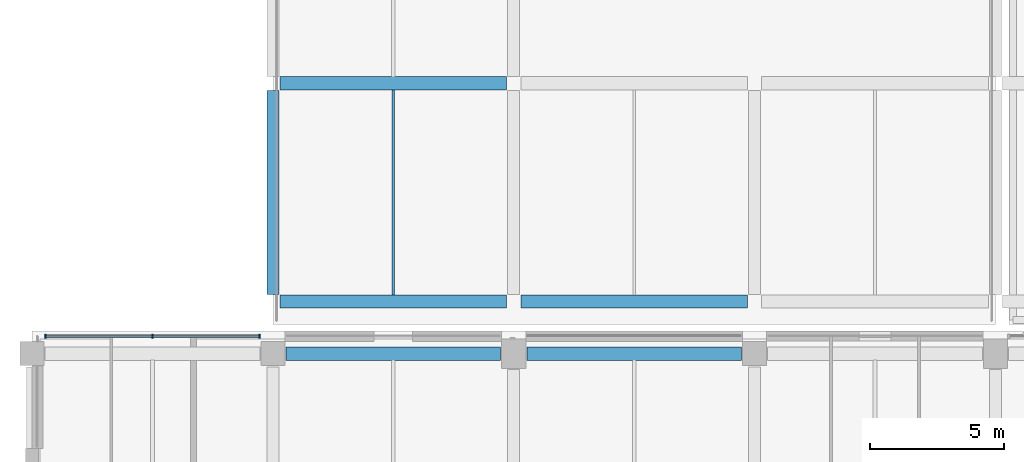
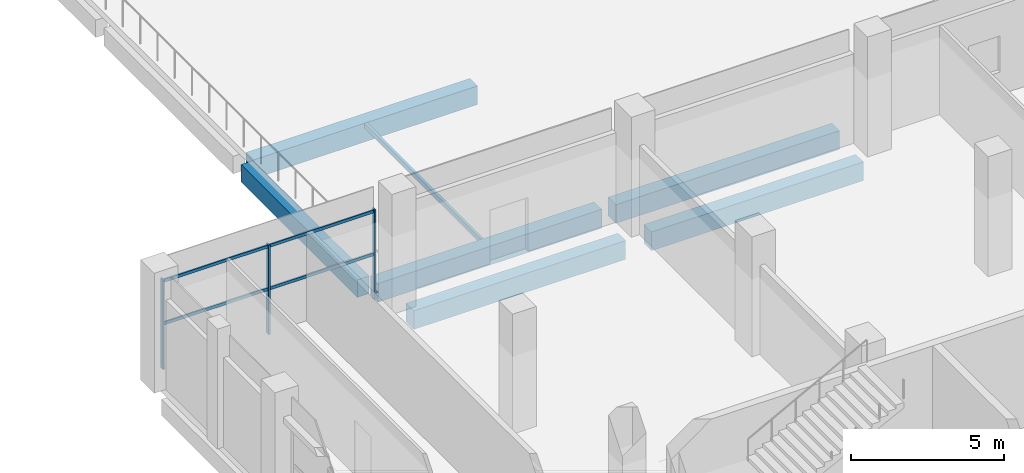
# One storey, part 20 of 82: 7 beams, 5 members, 1 element without a shape of its own.
"""IFC4 building model written with IfcOpenShell, lengths in metres."""

from ifc_helpers import new_model, si_unit, direction, frame, origin, origin_2d, place, context, subcontext, project, spatial, rectangle, hollow_rectangle, extrude, material, material_profile, profile_set, type_object, element, aggregate, save


model = new_model("IFC4")

# Units and contexts
model_context = context("Model", 3, precision=1e-05, world=origin(), true_north=direction((0.0, 1.0)))
body_context = subcontext(model_context, "Body", "Model", "MODEL_VIEW")
ifc_project = project(units=[si_unit("LENGTHUNIT", "METRE"), si_unit("AREAUNIT", "SQUARE_METRE"), si_unit("VOLUMEUNIT", "CUBIC_METRE"), si_unit("PLANEANGLEUNIT", "RADIAN"), si_unit("MASSUNIT", "GRAM", prefix="KILO"), si_unit("THERMODYNAMICTEMPERATUREUNIT", "KELVIN"), si_unit("POWERUNIT", "WATT")], contexts=[model_context])

# Site, building, storey
site_placement = place(None, origin())
site = spatial("IfcSite", under=ifc_project, at=site_placement, CompositionType="ELEMENT")
building_placement = place(site_placement, origin())
building = spatial("IfcBuilding", under=site, at=building_placement, Name="Sindhuravela Promenade Stadium", CompositionType="ELEMENT")
storey_placement = place(building_placement, frame((0.0, 0.0, 14.39990234375)))
storey = spatial("IfcBuildingStorey", under=building, at=storey_placement, Name="L03", CompositionType="ELEMENT", Elevation=14.39990234375)

# Curtain wall, members
ifc_material_1 = material(Name="Anodised architectural aluminium 6063-T6", Category="aluminium")
curtain_wall_type = type_object("IfcCurtainWallType", Name="CW-MOD-2", PredefinedType="NOTDEFINED", material=ifc_material_1)
curtain_wall_placement = place(storey_placement, origin())
curtain_wall = element("IfcCurtainWall", 1, at=curtain_wall_placement, inside=storey, type_object=curtain_wall_type, Name="Bronze curtain wall CW-WEST-L03-033", PredefinedType="NOTDEFINED")
ifc_material_profile_1 = material_profile(ifc_material_1, rectangle(XDim=0.06005859375, YDim=0.159912109375, at=origin_2d()), Name="ALU M60x160")
ifc_profile_set_1 = profile_set([ifc_material_profile_1], Name="Anodised architectural aluminium 6063-T6")
member_type_1 = type_object("IfcMemberType", Name="CW-MUL-4", PredefinedType="MULLION", material=ifc_profile_set_1)
member_1_placement = place(storey_placement, frame((0.5, 125.550048828125, 0.0), z_axis=(0.0, 0.0, 1.0), x_axis=(1.0, 0.0, 0.0)))
member_1 = element("IfcMember", 2, at=member_1_placement, type_object=member_type_1, Name="Curtain wall mullion CW-WEST-L03-033-M1", PredefinedType="MULLION", context=body_context, shape_type="SweptSolid", body=[
    extrude(rectangle(XDim=0.06005859375, YDim=0.159912109375, at=origin_2d()), origin(), (0.0, 0.0, 1.0), 3.580078125),
])
member_2_placement = place(storey_placement, frame((4.5, 125.550048828125, 0.0), z_axis=(0.0, 0.0, 1.0), x_axis=(1.0, 0.0, 0.0)))
member_2 = element("IfcMember", 3, at=member_2_placement, type_object=member_type_1, Name="Curtain wall mullion CW-WEST-L03-033-M2", PredefinedType="MULLION", context=body_context, shape_type="SweptSolid", body=[
    extrude(rectangle(XDim=0.06005859375, YDim=0.159912109375, at=origin_2d()), origin(), (0.0, 0.0, 1.0), 3.580078125),
])
member_3_placement = place(storey_placement, frame((8.5, 125.550048828125, 0.0), z_axis=(0.0, 0.0, 1.0), x_axis=(1.0, 0.0, 0.0)))
member_3 = element("IfcMember", 4, at=member_3_placement, type_object=member_type_1, Name="Curtain wall mullion CW-WEST-L03-033-M3", PredefinedType="MULLION", context=body_context, shape_type="SweptSolid", body=[
    extrude(rectangle(XDim=0.06005859375, YDim=0.159912109375, at=origin_2d()), origin(), (0.0, 0.0, 1.0), 3.580078125),
])
ifc_material_profile_2 = material_profile(ifc_material_1, rectangle(XDim=0.06005859375, YDim=0.1201171875, at=origin_2d()), Name="ALU T60x120")
ifc_profile_set_2 = profile_set([ifc_material_profile_2], Name="Anodised architectural aluminium 6063-T6")
member_type_2 = type_object("IfcMemberType", Name="CW-TRN-4", PredefinedType="USERDEFINED", material=ifc_profile_set_2)
member_4_placement = place(storey_placement, frame((0.47509765625, 125.550048828125, 1.7900390625), z_axis=(1.0, 0.0, 0.0), x_axis=(0.0, 1.0, 0.0)))
member_4 = element("IfcMember", 5, at=member_4_placement, type_object=member_type_2, Name="Curtain wall transom CW-WEST-L03-033-T1", ObjectType="TRANSOM", PredefinedType="USERDEFINED", context=body_context, shape_type="SweptSolid", body=[
    extrude(rectangle(XDim=0.06005859375, YDim=0.1201171875, at=origin_2d()), origin(), (0.0, 0.0, 1.0), 8.0498046875),
])
member_5_placement = place(storey_placement, frame((0.47509765625, 125.550048828125, 3.5), z_axis=(1.0, 0.0, 0.0), x_axis=(0.0, 1.0, 0.0)))
member_5 = element("IfcMember", 6, at=member_5_placement, type_object=member_type_2, Name="Curtain wall transom CW-WEST-L03-033-T2", ObjectType="TRANSOM", PredefinedType="USERDEFINED", context=body_context, shape_type="SweptSolid", body=[
    extrude(rectangle(XDim=0.06005859375, YDim=0.1201171875, at=origin_2d()), origin(), (0.0, 0.0, 1.0), 8.0498046875),
])
aggregate(curtain_wall, [member_1, member_2, member_3, member_4, member_5])

# Beams
ifc_material_2 = material(Name="Concrete M40", Category="concrete")
ifc_material_profile_3 = material_profile(ifc_material_2, rectangle(XDim=0.449951171875, YDim=0.699951171875, at=origin_2d()), Name="RC 450x700")
ifc_profile_set_3 = profile_set([ifc_material_profile_3], Name="Concrete M40")
beam_type_1 = type_object("IfcBeamType", Name="RC-BM-450x700", PredefinedType="BEAM", material=ifc_profile_set_3)
beam_1_placement = place(storey_placement, frame((9.0, 127.114990234375, -0.659912109375), z_axis=(0.0, 1.0, 0.0), x_axis=(-1.0, 0.0, 0.0)))
element("IfcBeam", 7, at=beam_1_placement, inside=storey, type_object=beam_type_1, Name="Primary beam GB07 Pavilion NW L03", PredefinedType="BEAM", context=body_context, shape_type="SweptSolid", body=[
    extrude(rectangle(XDim=0.449951171875, YDim=0.699951171875, at=origin_2d()), origin(), (0.0, 0.0, 1.0), 7.6201171875),
])
ifc_material_profile_4 = material_profile(ifc_material_2, rectangle(XDim=0.5, YDim=0.75, at=origin_2d()), Name="RC 500x750")
ifc_profile_set_4 = profile_set([ifc_material_profile_4], Name="Concrete M40")
beam_type_2 = type_object("IfcBeamType", Name="RC-BM-500x750", PredefinedType="BEAM", material=ifc_profile_set_4)
for number, where, z_axis, x_axis, name in (
    (8, (9.489990234375, 124.89990234375, -0.6748046875), (1.0, 0.0, 0.0), (0.0, 1.0, 0.0), "Primary girder GB06 WEST L03"),
    (9, (18.489990234375, 124.89990234375, -0.6748046875), (1.0, 0.0, 0.0), (0.0, 1.0, 0.0), "Primary girder GB06 WEST L03"),
):
    element("IfcBeam", number, at=place(storey_placement, frame(where, z_axis=z_axis, x_axis=x_axis)), inside=storey, type_object=beam_type_2, Name=name, PredefinedType="BEAM", context=body_context, shape_type="SweptSolid", body=[
        extrude(rectangle(XDim=0.5, YDim=0.75, at=origin_2d()), origin(), (0.0, 0.0, 1.0), 8.02001953125),
    ])
for number, where, z_axis, x_axis, name in (
    (10, (9.264892578125, 126.85009765625, -0.684814453125), (1.0, 0.0, 0.0), (0.0, 1.0, 0.0), "Primary girder GB06 Pavilion NW L03"),
    (11, (18.264892578125, 126.85009765625, -0.684814453125), (1.0, 0.0, 0.0), (0.0, 1.0, 0.0), "Primary girder GB06 Pavilion NW L03"),
    (12, (9.264892578125, 135.0, -0.684814453125), (1.0, 0.0, 0.0), (0.0, 1.0, 0.0), "Primary girder GB06 Pavilion NW L03"),
):
    element("IfcBeam", number, at=place(storey_placement, frame(where, z_axis=z_axis, x_axis=x_axis)), inside=storey, type_object=beam_type_2, Name=name, PredefinedType="BEAM", context=body_context, shape_type="SweptSolid", body=[
        extrude(rectangle(XDim=0.5, YDim=0.75, at=origin_2d()), origin(), (0.0, 0.0, 1.0), 8.47021484375),
    ])
ifc_material_3 = material(Name="Steel E350 (IS 2062 E350BR)", Category="steel")
ifc_material_profile_5 = material_profile(ifc_material_3, hollow_rectangle(XDim=0.10009765625, YDim=0.199951171875, WallThickness=0.008056640625, at=origin_2d()), Name="RHS 200x100x8")
ifc_profile_set_5 = profile_set([ifc_material_profile_5], Name="Steel E350 (IS 2062 E350BR)")
beam_type_3 = type_object("IfcBeamType", Name="ST-BM-LNT200", PredefinedType="LINTEL", material=ifc_profile_set_5)
beam_2_placement = place(storey_placement, frame((13.5, 127.090087890625, -0.409912109375), z_axis=(0.0, 1.0, 0.0), x_axis=(-1.0, 0.0, 0.0)))
element("IfcBeam", 13, at=beam_2_placement, inside=storey, type_object=beam_type_3, Name="Secondary floor joist LN01 Pavilion NW L03", PredefinedType="LINTEL", context=body_context, shape_type="SweptSolid", body=[
    extrude(hollow_rectangle(XDim=0.10009765625, YDim=0.199951171875, WallThickness=0.008056640625, at=origin_2d()), origin(), (0.0, 0.0, 1.0), 7.669921875),
])

save(model, "model.ifc")
